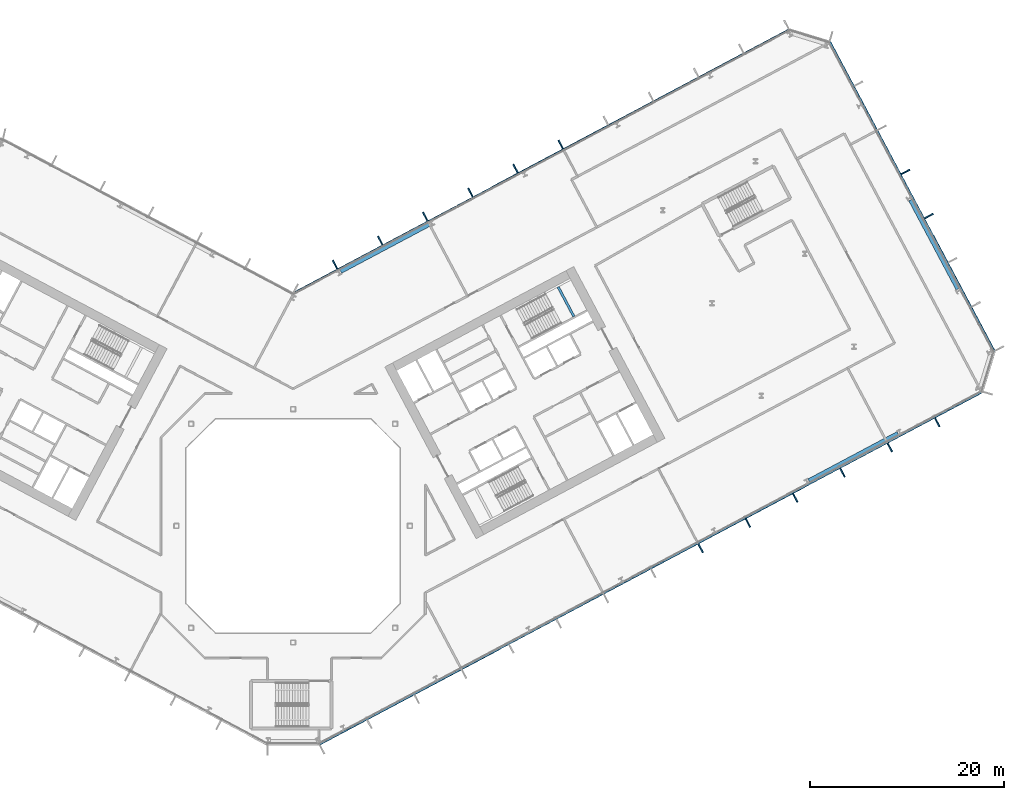
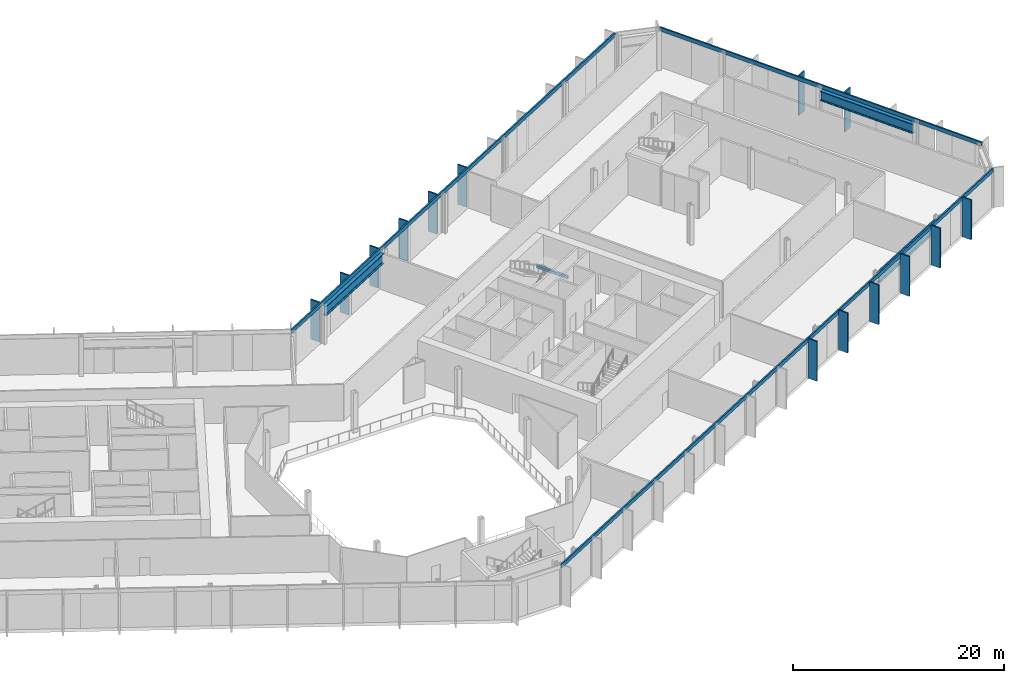
# One storey, part 8 of 30: 17 members, 4 beams, 3 elements without a shape of their own.
"""IFC4 building model written with IfcOpenShell, lengths in metres."""

import ifcopenshell
import ifcopenshell.guid

model = None  # the IFC model being written
_history = None  # IfcOwnerHistory: only IFC2X3 demands one
_inside = {}  # id of a spatial element -> (the spatial element, [elements in it])
_under = {}  # id of a project, library or spatial element -> (it, [spatial elements below it])
_declared = {}  # id of a project -> (the project, [libraries it declares])
_typed = {}  # id of a type object -> (the type object, [elements of that type])
_made_of = {}  # id of a material, layer set ... -> (it, [elements and type objects made of it])


def new_model(schema):
    """Start an empty IFC model of exactly this schema.

    Asked for "IFC4X3", IfcOpenShell would pick the latest addendum, in which some entities
    have other attributes; the version numbers below select the first issue.
    IFC2X3 requires an IfcOwnerHistory on every rooted entity: one is made here for all.
    """
    global model, _history
    if schema == "IFC4X3":
        model = ifcopenshell.file(schema_version=(4, 3, 0, 0))
    else:
        model = ifcopenshell.file(schema=schema)
    _inside.clear()
    _under.clear()
    _declared.clear()
    _typed.clear()
    _made_of.clear()
    _history = None
    if model.schema == "IFC2X3":
        org = make("IfcOrganization", Name="unknown")
        user = make(
            "IfcPersonAndOrganization",
            ThePerson=make("IfcPerson", FamilyName="unknown"),
            TheOrganization=org,
        )
        app = make(
            "IfcApplication",
            ApplicationDeveloper=org,
            Version="unknown",
            ApplicationFullName="unknown",
            ApplicationIdentifier="unknown",
        )
        _history = make(
            "IfcOwnerHistory",
            OwningUser=user,
            OwningApplication=app,
            ChangeAction="ADDED",
            CreationDate=0,
        )
    return model


def make(cls, **values):
    """One entity of the class cls with the attributes given. An attribute that is None is left unset."""
    return model.create_entity(
        cls, **{name: value for name, value in values.items() if value is not None}
    )


def rooted(cls, **values):
    """An entity with a GlobalId (a new one), such as an element, a storey or a relation."""
    return make(cls, GlobalId=ifcopenshell.guid.new(), OwnerHistory=_history, **values)


def si_unit(unit_type, name, prefix=None):
    """IfcSIUnit, for example si_unit("LENGTHUNIT", "METRE", prefix="MILLI")."""
    return make("IfcSIUnit", UnitType=unit_type, Prefix=prefix, Name=name)


def assignment(units):
    """IfcUnitAssignment: the units of a project."""
    return None if units is None else make("IfcUnitAssignment", Units=units)


def point(xyz):
    """IfcCartesianPoint."""
    return None if xyz is None else make("IfcCartesianPoint", Coordinates=xyz)


def direction(xyz):
    """IfcDirection."""
    return None if xyz is None else make("IfcDirection", DirectionRatios=xyz)


def frame(location, z_axis=None, x_axis=None):
    """IfcAxis2Placement3D, a coordinate frame: its origin and axes. An axis left out is left unset."""
    return make(
        "IfcAxis2Placement3D",
        Location=point(location),
        Axis=direction(z_axis),
        RefDirection=direction(x_axis),
    )


def frame_2d(location, x_axis=None):
    """IfcAxis2Placement2D, a coordinate frame in the plane: its origin and x axis."""
    return make(
        "IfcAxis2Placement2D", Location=point(location), RefDirection=direction(x_axis)
    )


def origin():
    """The frame at (0, 0, 0) with its axes left unset."""
    return frame((0.0, 0.0, 0.0))


def origin_2d():
    """The frame at (0, 0) in the plane with its x axis left unset."""
    return frame_2d((0.0, 0.0))


def place(relative_to, where):
    """IfcLocalPlacement: puts the frame where relative to a parent placement (None: the world)."""
    return make(
        "IfcLocalPlacement", PlacementRelTo=relative_to, RelativePlacement=where
    )


def context(
    kind, dimensions, precision=None, world=None, true_north=None, identifier=None
):
    """IfcGeometricRepresentationContext, for example the 3D "Model" context."""
    return make(
        "IfcGeometricRepresentationContext",
        ContextIdentifier=identifier,
        ContextType=kind,
        CoordinateSpaceDimension=dimensions,
        Precision=precision,
        WorldCoordinateSystem=world,
        TrueNorth=true_north,
    )


def subcontext(parent, identifier, kind, view, scale=None):
    """IfcGeometricRepresentationSubContext, for example "Body" below "Model"."""
    return make(
        "IfcGeometricRepresentationSubContext",
        ContextIdentifier=identifier,
        ContextType=kind,
        ParentContext=parent,
        TargetScale=scale,
        TargetView=view,
    )


def project(units=None, contexts=None):
    """IfcProject with its units and contexts."""
    return rooted(
        "IfcProject",
        Name="project",
        RepresentationContexts=contexts,
        UnitsInContext=assignment(units),
    )


def spatial(cls, under=None, at=None, **own):
    """A site, building, storey or space (cls), placed at a placement, below another one or the project."""
    s = rooted(cls, ObjectPlacement=at, **own)
    if under is not None:
        _under.setdefault(under.id(), (under, []))[1].append(s)
    return s


def profile(cls, at=None, kind="AREA", **sizes):
    """A parametric profile (cls). Its sizes go by their IFC names, for example OverallWidth=200.0."""
    return make(cls, ProfileType=kind, Position=at, **sizes)


def rectangle(**sizes):
    """IfcRectangleProfileDef."""
    return profile("IfcRectangleProfileDef", **sizes)


def i_section(**sizes):
    """IfcIShapeProfileDef."""
    return profile("IfcIShapeProfileDef", **sizes)


def extrude(swept, where, along, depth):
    """IfcExtrudedAreaSolid: the profile swept, set in the frame where, extruded along a direction by depth."""
    return make(
        "IfcExtrudedAreaSolid",
        SweptArea=swept,
        Position=where,
        ExtrudedDirection=direction(along),
        Depth=depth,
    )


def shape(context_of_items, identifier, shape_type, items):
    """IfcShapeRepresentation: the items that make up one representation, for example the "Body"."""
    return make(
        "IfcShapeRepresentation",
        ContextOfItems=context_of_items,
        RepresentationIdentifier=identifier,
        RepresentationType=shape_type,
        Items=items,
    )


def material(Name=None, Category=None):
    """IfcMaterial."""
    return make("IfcMaterial", Name=Name, Category=Category)


def layer(
    of_material, thickness, ventilated=None, Name=None, Category=None, Priority=None
):
    """IfcMaterialLayer: one layer of a wall or slab, of a material (None: an air gap)."""
    return make(
        "IfcMaterialLayer",
        Material=of_material,
        LayerThickness=thickness,
        IsVentilated=ventilated,
        Name=Name,
        Category=Category,
        Priority=Priority,
    )


def layer_set(layers, Name=None):
    """IfcMaterialLayerSet."""
    return make("IfcMaterialLayerSet", MaterialLayers=layers, LayerSetName=Name)


def material_profile(
    of_material, cross_section, Name=None, Category=None, Priority=None
):
    """IfcMaterialProfile: a cross section and its material."""
    return make(
        "IfcMaterialProfile",
        Name=Name,
        Material=of_material,
        Profile=cross_section,
        Priority=Priority,
        Category=Category,
    )


def profile_set(profiles, Name=None, composite=None):
    """IfcMaterialProfileSet."""
    return make(
        "IfcMaterialProfileSet",
        Name=Name,
        MaterialProfiles=profiles,
        CompositeProfile=composite,
    )


def made_of(thing, what):
    """Note that an element or type object is made of a material, layer set ...; save() writes the relation."""
    if what is not None:
        _made_of.setdefault(what.id(), (what, []))[1].append(thing)
    return thing


def type_object(cls, material=None, **own):
    """A type object (cls), such as IfcWallType, which elements share."""
    return made_of(rooted(cls, **own), material)


def element(
    cls,
    number,
    at=None,
    inside=None,
    cuts=None,
    type_object=None,
    material=None,
    context=None,
    identifier="Body",
    shape_type=None,
    held_by="IfcProductDefinitionShape",
    body=None,
    shapes=None,
    **own,
):
    """One element of the class cls, such as IfcWall. Its Tag is "e" and its number.

    at: its placement. inside: the storey or other place that contains it. cuts: it is an
    opening in that element (IfcRelVoidsElement). A single representation is given by context,
    identifier, shape_type and body (its items); several are given by shapes. held_by: the class
    of the entity that holds the representations. save() writes the other relations.
    """
    e = rooted(cls, Tag="e%d" % number, ObjectPlacement=at, **own)
    if body is not None:
        shapes = [shape(context, identifier, shape_type, body)]
    if shapes is not None:
        e.Representation = make(held_by, Representations=shapes)
    if inside is not None:
        _inside.setdefault(inside.id(), (inside, []))[1].append(e)
    if cuts is not None:
        rooted(
            "IfcRelVoidsElement", RelatingBuildingElement=cuts, RelatedOpeningElement=e
        )
    if type_object is not None:
        _typed.setdefault(type_object.id(), (type_object, []))[1].append(e)
    return made_of(e, material)


def aggregate(whole, parts):
    """IfcRelAggregates: a whole, such as a stair, and the parts it consists of."""
    return rooted("IfcRelAggregates", RelatingObject=whole, RelatedObjects=parts)


def save(model, path):
    """Write the relations noted so far, then the file.

    IfcRelAggregates (storeys below a building ...), IfcRelContainedInSpatialStructure (elements
    in a storey), IfcRelDefinesByType, IfcRelAssociatesMaterial and IfcRelDeclares: one each for
    every whole, place, type object, material and project.
    """
    for whole, parts in _under.values():
        aggregate(whole, parts)
    for where, things in _inside.values():
        rooted(
            "IfcRelContainedInSpatialStructure",
            RelatedElements=things,
            RelatingStructure=where,
        )
    for kind, things in _typed.values():
        rooted("IfcRelDefinesByType", RelatedObjects=things, RelatingType=kind)
    for what, things in _made_of.values():
        rooted("IfcRelAssociatesMaterial", RelatedObjects=things, RelatingMaterial=what)
    for by, libraries in _declared.values():
        rooted("IfcRelDeclares", RelatingContext=by, RelatedDefinitions=libraries)
    model.write(path)


model = new_model("IFC4")

# Units and contexts
model_context = context("Model", 3, precision=1e-05, world=origin(), true_north=direction((0.0, 1.0)))
body_context = subcontext(model_context, "Body", "Model", "MODEL_VIEW")
ifc_project = project(units=[si_unit("LENGTHUNIT", "METRE"), si_unit("AREAUNIT", "SQUARE_METRE"), si_unit("VOLUMEUNIT", "CUBIC_METRE"), si_unit("PLANEANGLEUNIT", "RADIAN"), si_unit("MASSUNIT", "GRAM", prefix="KILO")], contexts=[model_context])

# Site, building, storey
site_placement = place(None, origin())
site = spatial("IfcSite", under=ifc_project, at=site_placement, CompositionType="ELEMENT")
building_placement = place(site_placement, origin())
building = spatial("IfcBuilding", under=site, at=building_placement, Name="Cormorant Relay Tower", CompositionType="ELEMENT")
storey_placement = place(building_placement, frame((0.0, 0.0, 89.199951171875)))
storey = spatial("IfcBuildingStorey", under=building, at=storey_placement, Name="L17", CompositionType="ELEMENT", Elevation=89.199951171875)

# Curtain wall, members
ifc_material_1 = material(Name="Aluminium 6063-T6 anodised bronze", Category="aluminium")
ifc_layer = layer(ifc_material_1, 0.199951171875)
ifc_layer_set = layer_set([ifc_layer], Name="CW1 unitised bronze curtain wall with vertical fins")
curtain_wall_type = type_object("IfcCurtainWallType", Name="CW1 unitised bronze curtain wall with vertical fins", PredefinedType="NOTDEFINED", material=ifc_layer_set)
curtain_wall_1_placement = place(storey_placement, origin())
curtain_wall_1 = element("IfcCurtainWall", 1, at=curtain_wall_1_placement, inside=storey, type_object=curtain_wall_type, Name="CW1 curtain wall 2", PredefinedType="NOTDEFINED")
ifc_material_2 = material(Name="Aluminium 6063-T6 anodised bronze", Category="aluminium")
ifc_material_profile_1 = material_profile(ifc_material_2, rectangle(XDim=0.14990234375, YDim=1.0, at=origin_2d()), Name="AL 150x1000")
ifc_profile_set_1 = profile_set([ifc_material_profile_1], Name="Aluminium 6063-T6 anodised bronze")
member_type_1 = type_object("IfcMemberType", Name="CW1 bronze fin mullion 150 x 1000", PredefinedType="MULLION", material=ifc_profile_set_1)
member_1_placement = place(storey_placement, frame((41.910888671875, -2.29248046875, 0.0), z_axis=(0.0, 0.0, 1.0), x_axis=(0.882947592859, 0.469471562786, 0.0)))
member_1 = element("IfcMember", 2, at=member_1_placement, type_object=member_type_1, Name="CW1 fin 2.9", PredefinedType="MULLION", context=body_context, shape_type="SweptSolid", body=[
    extrude(rectangle(XDim=0.14990234375, YDim=1.0, at=origin_2d()), origin(), (0.0, 0.0, 1.0), 4.60009765625),
])
member_2_placement = place(storey_placement, frame((46.777587890625, 0.29541015625, 0.0), z_axis=(0.0, 0.0, 1.0), x_axis=(0.882947592859, 0.469471562786, 0.0)))
member_2 = element("IfcMember", 3, at=member_2_placement, type_object=member_type_1, Name="CW1 fin 2.10", PredefinedType="MULLION", context=body_context, shape_type="SweptSolid", body=[
    extrude(rectangle(XDim=0.14990234375, YDim=1.0, at=origin_2d()), origin(), (0.0, 0.0, 1.0), 4.60009765625),
])
member_3_placement = place(storey_placement, frame((51.644287109375, 2.8828125, 0.0), z_axis=(0.0, 0.0, 1.0), x_axis=(0.882947592859, 0.469471562786, 0.0)))
member_3 = element("IfcMember", 4, at=member_3_placement, type_object=member_type_1, Name="CW1 fin 2.11", PredefinedType="MULLION", context=body_context, shape_type="SweptSolid", body=[
    extrude(rectangle(XDim=0.14990234375, YDim=1.0, at=origin_2d()), origin(), (0.0, 0.0, 1.0), 4.60009765625),
])
member_4_placement = place(storey_placement, frame((56.510986328125, 5.470703125, 0.0), z_axis=(0.0, 0.0, 1.0), x_axis=(0.882947592859, 0.469471562786, 0.0)))
member_4 = element("IfcMember", 5, at=member_4_placement, type_object=member_type_1, Name="CW1 fin 2.12", PredefinedType="MULLION", context=body_context, shape_type="SweptSolid", body=[
    extrude(rectangle(XDim=0.14990234375, YDim=1.0, at=origin_2d()), origin(), (0.0, 0.0, 1.0), 4.60009765625),
])
member_5_placement = place(storey_placement, frame((61.377685546875, 8.058349609375, 0.0), z_axis=(0.0, 0.0, 1.0), x_axis=(0.882947592859, 0.469471562786, 0.0)))
member_5 = element("IfcMember", 6, at=member_5_placement, type_object=member_type_1, Name="CW1 fin 2.13", PredefinedType="MULLION", context=body_context, shape_type="SweptSolid", body=[
    extrude(rectangle(XDim=0.14990234375, YDim=1.0, at=origin_2d()), origin(), (0.0, 0.0, 1.0), 4.60009765625),
])
member_6_placement = place(storey_placement, frame((66.244140625, 10.64599609375, 0.0), z_axis=(0.0, 0.0, 1.0), x_axis=(0.882947592859, 0.469471562786, 0.0)))
member_6 = element("IfcMember", 7, at=member_6_placement, type_object=member_type_1, Name="CW1 fin 2.14", PredefinedType="MULLION", context=body_context, shape_type="SweptSolid", body=[
    extrude(rectangle(XDim=0.14990234375, YDim=1.0, at=origin_2d()), origin(), (0.0, 0.0, 1.0), 4.60009765625),
])

curtain_wall_2_placement = place(storey_placement, origin())
curtain_wall_2 = element("IfcCurtainWall", 8, at=curtain_wall_2_placement, inside=storey, type_object=curtain_wall_type, Name="CW1 curtain wall 4", PredefinedType="NOTDEFINED")
member_7_placement = place(storey_placement, frame((65.3974609375, 31.860107421875, 0.0), z_axis=(0.0, 0.0, 1.0), x_axis=(-0.469471562786, 0.882947592859, 0.0)))
member_7 = element("IfcMember", 9, at=member_7_placement, type_object=member_type_1, Name="CW1 fin 4.4", PredefinedType="MULLION", context=body_context, shape_type="SweptSolid", body=[
    extrude(rectangle(XDim=0.14990234375, YDim=1.0, at=origin_2d()), origin(), (0.0, 0.0, 1.0), 4.60009765625),
])
member_8_placement = place(storey_placement, frame((62.983154296875, 36.40087890625, 0.0), z_axis=(0.0, 0.0, 1.0), x_axis=(-0.469471562786, 0.882947592859, 0.0)))
member_8 = element("IfcMember", 10, at=member_8_placement, type_object=member_type_1, Name="CW1 fin 4.5", PredefinedType="MULLION", context=body_context, shape_type="SweptSolid", body=[
    extrude(rectangle(XDim=0.14990234375, YDim=1.0, at=origin_2d()), origin(), (0.0, 0.0, 1.0), 4.60009765625),
])

curtain_wall_3_placement = place(storey_placement, origin())
curtain_wall_3 = element("IfcCurtainWall", 11, at=curtain_wall_3_placement, inside=storey, type_object=curtain_wall_type, Name="CW1 curtain wall 6", PredefinedType="NOTDEFINED")
member_9_placement = place(storey_placement, frame((27.524658203125, 39.2119140625, 0.0), z_axis=(0.0, 0.0, 1.0), x_axis=(-0.882947592859, -0.469471562786, 0.0)))
member_9 = element("IfcMember", 12, at=member_9_placement, type_object=member_type_1, Name="CW1 fin 6.6", PredefinedType="MULLION", context=body_context, shape_type="SweptSolid", body=[
    extrude(rectangle(XDim=0.14990234375, YDim=1.0, at=origin_2d()), origin(), (0.0, 0.0, 1.0), 4.60009765625),
])
member_10_placement = place(storey_placement, frame((22.882568359375, 36.74365234375, 0.0), z_axis=(0.0, 0.0, 1.0), x_axis=(-0.882947592859, -0.469471562786, 0.0)))
member_10 = element("IfcMember", 13, at=member_10_placement, type_object=member_type_1, Name="CW1 fin 6.7", PredefinedType="MULLION", context=body_context, shape_type="SweptSolid", body=[
    extrude(rectangle(XDim=0.14990234375, YDim=1.0, at=origin_2d()), origin(), (0.0, 0.0, 1.0), 4.60009765625),
])
member_11_placement = place(storey_placement, frame((18.240234375, 34.275390625, 0.0), z_axis=(0.0, 0.0, 1.0), x_axis=(-0.882947592859, -0.469471562786, 0.0)))
member_11 = element("IfcMember", 14, at=member_11_placement, type_object=member_type_1, Name="CW1 fin 6.8", PredefinedType="MULLION", context=body_context, shape_type="SweptSolid", body=[
    extrude(rectangle(XDim=0.14990234375, YDim=1.0, at=origin_2d()), origin(), (0.0, 0.0, 1.0), 4.60009765625),
])
member_12_placement = place(storey_placement, frame((13.597900390625, 31.806884765625, 0.0), z_axis=(0.0, 0.0, 1.0), x_axis=(-0.882947592859, -0.469471562786, 0.0)))
member_12 = element("IfcMember", 15, at=member_12_placement, type_object=member_type_1, Name="CW1 fin 6.9", PredefinedType="MULLION", context=body_context, shape_type="SweptSolid", body=[
    extrude(rectangle(XDim=0.14990234375, YDim=1.0, at=origin_2d()), origin(), (0.0, 0.0, 1.0), 4.60009765625),
])
member_13_placement = place(storey_placement, frame((8.955810546875, 29.338623046875, 0.0), z_axis=(0.0, 0.0, 1.0), x_axis=(-0.882947592859, -0.469471562786, 0.0)))
member_13 = element("IfcMember", 16, at=member_13_placement, type_object=member_type_1, Name="CW1 fin 6.10", PredefinedType="MULLION", context=body_context, shape_type="SweptSolid", body=[
    extrude(rectangle(XDim=0.14990234375, YDim=1.0, at=origin_2d()), origin(), (0.0, 0.0, 1.0), 4.60009765625),
])
member_14_placement = place(storey_placement, frame((4.313720703125, 26.870361328125, 0.0), z_axis=(0.0, 0.0, 1.0), x_axis=(-0.882947592859, -0.469471562786, 0.0)))
member_14 = element("IfcMember", 17, at=member_14_placement, type_object=member_type_1, Name="CW1 fin 6.11", PredefinedType="MULLION", context=body_context, shape_type="SweptSolid", body=[
    extrude(rectangle(XDim=0.14990234375, YDim=1.0, at=origin_2d()), origin(), (0.0, 0.0, 1.0), 4.60009765625),
])

# Member
ifc_material_3 = material(Name="Aluminium 6063-T6 anodised bronze", Category="aluminium")
ifc_material_profile_2 = material_profile(ifc_material_3, rectangle(XDim=0.159912109375, YDim=0.449951171875, at=origin_2d()), Name="AL 160x450")
ifc_profile_set_2 = profile_set([ifc_material_profile_2], Name="Aluminium 6063-T6 anodised bronze")
member_type_2 = type_object("IfcMemberType", Name="CW1 bronze transom 160 x 450", PredefinedType="USERDEFINED", material=ifc_profile_set_2)
member_15_placement = place(storey_placement, frame((2.705078125, -22.4814453125, 4.375), z_axis=(0.882948654677, 0.46946956579, 0.0), x_axis=(-0.46946956579, 0.882948654677, 0.0)))
member_15 = element("IfcMember", 18, at=member_15_placement, type_object=member_type_2, Name="CW1 transom 2", ObjectType="TRANSOM", PredefinedType="USERDEFINED", context=body_context, shape_type="SweptSolid", body=[
    extrude(rectangle(XDim=0.159912109375, YDim=0.449951171875, at=origin_2d()), origin(), (0.0, 0.0, 1.0), 77.166015625),
])

aggregate(curtain_wall_1, [member_1, member_2, member_3, member_4, member_5, member_6, member_15])

member_16_placement = place(storey_placement, frame((72.128662109375, 17.965087890625, 4.375), z_axis=(-0.469469230355, 0.88294883303, 0.0), x_axis=(-0.88294883303, -0.469469230355, 0.0)))
member_16 = element("IfcMember", 19, at=member_16_placement, type_object=member_type_2, Name="CW1 transom 4", ObjectType="TRANSOM", PredefinedType="USERDEFINED", context=body_context, shape_type="SweptSolid", body=[
    extrude(rectangle(XDim=0.159912109375, YDim=0.449951171875, at=origin_2d()), origin(), (0.0, 0.0, 1.0), 36.0),
])

aggregate(curtain_wall_2, [member_7, member_8, member_16])

member_17_placement = place(storey_placement, frame((51.008056640625, 51.04150390625, 4.375), z_axis=(-0.882946446228, -0.469473719279, 0.0), x_axis=(0.469473719279, -0.882946446228, 0.0)))
member_17 = element("IfcMember", 20, at=member_17_placement, type_object=member_type_2, Name="CW1 transom 6", ObjectType="TRANSOM", PredefinedType="USERDEFINED", context=body_context, shape_type="SweptSolid", body=[
    extrude(rectangle(XDim=0.159912109375, YDim=0.449951171875, at=origin_2d()), origin(), (0.0, 0.0, 1.0), 57.834228515625),
])

aggregate(curtain_wall_3, [member_9, member_10, member_11, member_12, member_13, member_14, member_17])

# Beams
ifc_material_4 = material(Name="Steel ASTM A992 (Fy 345 MPa)", Category="steel")
ifc_material_profile_3 = material_profile(ifc_material_4, i_section(OverallWidth=0.40380859375, OverallDepth=1.11767578125, WebThickness=0.026123046875, FlangeThickness=0.044921875, FilletRadius=0.02001953125, at=origin_2d()), Name="W1100x499")
ifc_profile_set_3 = profile_set([ifc_material_profile_3], Name="Steel ASTM A992 (Fy 345 MPa)")
beam_type_1 = type_object("IfcBeamType", Name="Spandrel W1100x499", PredefinedType="SPANDREL", material=ifc_profile_set_3)
for number, where, z_axis, x_axis, name in (
    (21, (53.0390625, 4.64599609375, 3.641357421875), (0.882937138632, 0.469491223799, 0.0), (-0.469491223799, 0.882937138632, 0.0), "Spandrel beam L17-002"),
    (22, (68.364990234375, 24.358154296875, 3.641357421875), (-0.469491223799, 0.882937138632, 0.0), (-0.882937138632, -0.469491223799, 0.0), "Spandrel beam L17-004"),
    (23, (14.06494140625, 31.03369140625, 3.641357421875), (-0.882946891921, -0.469472881056, 0.0), (0.469472881056, -0.882946891921, 0.0), "Spandrel beam L17-006"),
):
    element("IfcBeam", number, at=place(storey_placement, frame(where, z_axis=z_axis, x_axis=x_axis)), inside=storey, type_object=beam_type_1, Name=name, PredefinedType="SPANDREL", context=body_context, shape_type="SweptSolid", body=[
        extrude(i_section(OverallWidth=0.40380859375, OverallDepth=1.11767578125, WebThickness=0.026123046875, FlangeThickness=0.044921875, FilletRadius=0.02001953125, at=origin_2d()), origin(), (0.0, 0.0, 1.0), 10.376220703125),
    ])
ifc_material_5 = material(Name="Concrete 50 MPa", Category="concrete")
ifc_material_profile_4 = material_profile(ifc_material_5, rectangle(XDim=0.25, YDim=0.300048828125, at=origin_2d()), Name="RC 250x300")
ifc_profile_set_4 = profile_set([ifc_material_profile_4], Name="Concrete 50 MPa")
beam_type_2 = type_object("IfcBeamType", Name="Stair landing ledge beam 250x300", PredefinedType="BEAM", material=ifc_profile_set_4)
beam_placement = place(storey_placement, frame((28.878662109375, 21.527587890625, 1.949951171875), z_axis=(-0.469463917486, 0.882951657895, 0.0), x_axis=(-0.882951657895, -0.469463917486, 0.0)))
element("IfcBeam", 24, at=beam_placement, inside=storey, type_object=beam_type_2, Name="B2 landing ledge beam", PredefinedType="BEAM", context=body_context, shape_type="SweptSolid", body=[
    extrude(rectangle(XDim=0.25, YDim=0.300048828125, at=origin_2d()), origin(), (0.0, 0.0, 1.0), 3.449951171875),
])

save(model, "model.ifc")
